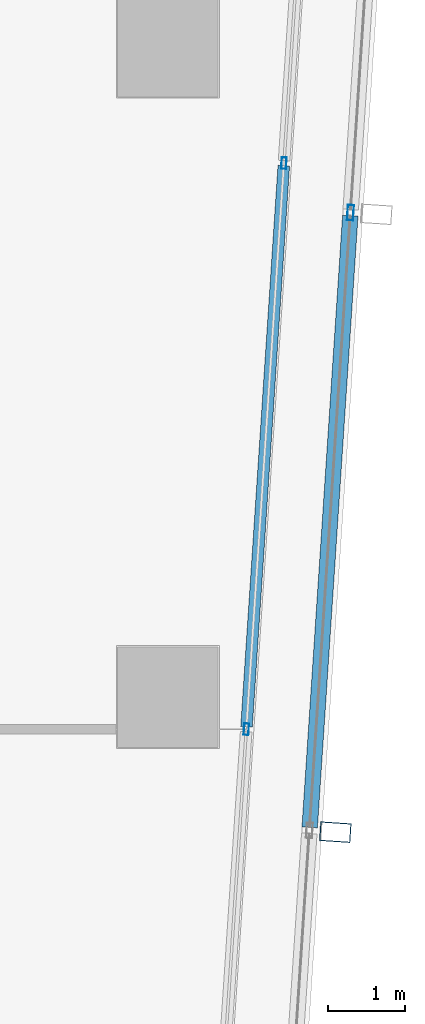
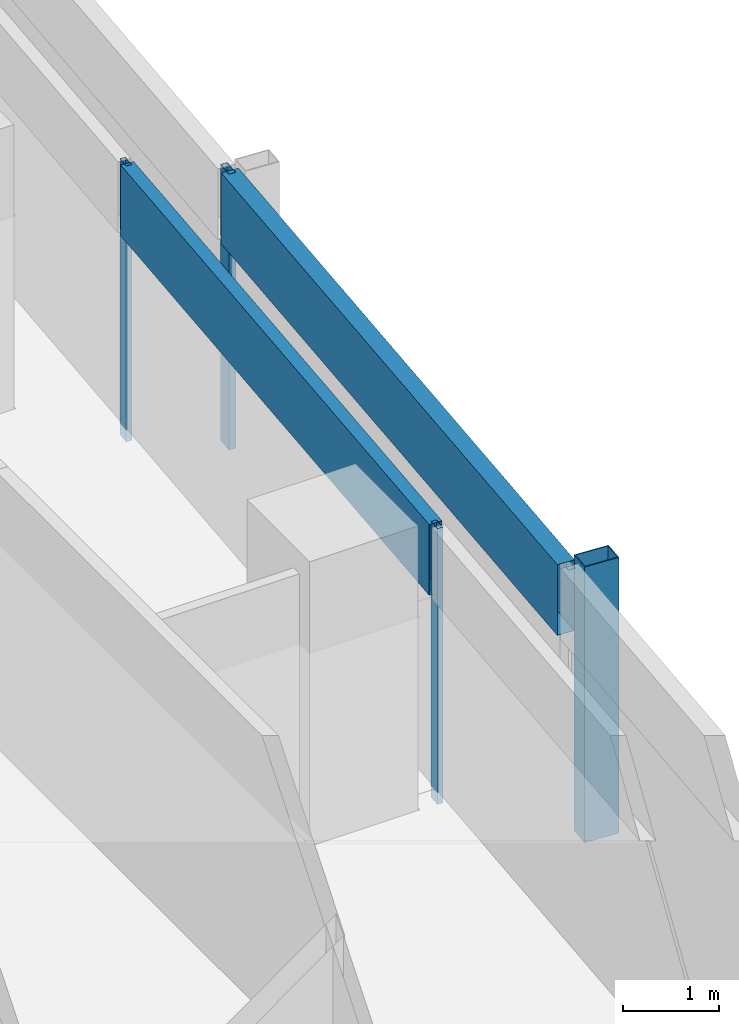
# One storey, part 12 of 30: 6 members, 2 elements without a shape of their own.
"""IFC4 building model written with IfcOpenShell, lengths in metres."""

from ifc_helpers import new_model, si_unit, direction, frame, origin, origin_2d, place, context, subcontext, project, spatial, hollow_rectangle, extrude, material, material_profile, profile_set, type_object, element, aggregate, save


model = new_model("IFC4")

# Units and contexts
model_context = context("Model", 3, precision=1e-05, world=origin(), true_north=direction((0.0, 1.0)))
body_context = subcontext(model_context, "Body", "Model", "MODEL_VIEW")
ifc_project = project(units=[si_unit("LENGTHUNIT", "METRE"), si_unit("AREAUNIT", "SQUARE_METRE"), si_unit("VOLUMEUNIT", "CUBIC_METRE"), si_unit("PLANEANGLEUNIT", "RADIAN"), si_unit("MASSUNIT", "GRAM", prefix="KILO")], contexts=[model_context])

# Site, building, storey
site_placement = place(None, origin())
site = spatial("IfcSite", under=ifc_project, at=site_placement, CompositionType="ELEMENT")
building_placement = place(site_placement, origin())
building = spatial("IfcBuilding", under=site, at=building_placement, Name="Rekha Terrace Tower", CompositionType="ELEMENT")
storey_placement = place(building_placement, frame((0.0, 0.0, 265.10009765625)))
storey = spatial("IfcBuildingStorey", under=building, at=storey_placement, Name="L67", CompositionType="ELEMENT", Elevation=265.10009765625)

# Curtain wall, member
ifc_material_1 = material(Name="Aluminium framing", Category="aluminium")
curtain_wall_type_1 = type_object("IfcCurtainWallType", Name="CW2 double skin outer glazing", PredefinedType="USERDEFINED", material=ifc_material_1)
curtain_wall_1_placement = place(storey_placement, origin())
curtain_wall_1 = element("IfcCurtainWall", 1, at=curtain_wall_1_placement, inside=storey, type_object=curtain_wall_type_1, Name="CW2 double skin outer glazing", ObjectType="DOUBLE SKIN OUTER GLAZING", PredefinedType="USERDEFINED")
ifc_material_2 = material(Name="Steel S355 with fluorocarbon finish", Category="steel")
ifc_material_profile_1 = material_profile(ifc_material_2, hollow_rectangle(XDim=0.25, YDim=0.39990234375, WallThickness=0.012451171875, at=origin_2d()), Name="RHS400x250x12.5")
ifc_profile_set_1 = profile_set([ifc_material_profile_1], Name="Steel S355 with fluorocarbon finish")
member_type_1 = type_object("IfcMemberType", Name="BL1 facade blade RHS 400 x 250", PredefinedType="USERDEFINED", material=ifc_profile_set_1)
member_1_placement = place(storey_placement, frame((60.9638671875, 23.45751953125, 0.0), z_axis=(0.0, 0.0, 1.0), x_axis=(0.066272158908, 0.99780158396, 0.0)))
member_1 = element("IfcMember", 2, at=member_1_placement, type_object=member_type_1, Name="Facade blade", ObjectType="FACADE BLADE", PredefinedType="USERDEFINED", context=body_context, shape_type="SweptSolid", body=[
    extrude(hollow_rectangle(XDim=0.25, YDim=0.39990234375, WallThickness=0.012451171875, at=origin_2d()), origin(), (0.0, 0.0, 1.0), 3.5),
])

# Curtain wall, members
curtain_wall_type_2 = type_object("IfcCurtainWallType", Name="CW1 double skin inner glazing", PredefinedType="USERDEFINED", material=ifc_material_1)
curtain_wall_2_placement = place(storey_placement, origin())
curtain_wall_2 = element("IfcCurtainWall", 3, at=curtain_wall_2_placement, inside=storey, type_object=curtain_wall_type_2, Name="CW1 double skin inner glazing", ObjectType="DOUBLE SKIN INNER GLAZING", PredefinedType="USERDEFINED")
ifc_material_3 = material(Name="Aluminium mullion section", Category="aluminium")
ifc_material_profile_2 = material_profile(ifc_material_3, hollow_rectangle(XDim=0.06494140625, YDim=0.14990234375, WallThickness=0.00390625, at=origin_2d()), Name="AL RHS 65x150")
ifc_profile_set_2 = profile_set([ifc_material_profile_2], Name="Aluminium mullion section")
member_type_2 = type_object("IfcMemberType", Name="CW1 mullion RHS 65 x 150", PredefinedType="MULLION", material=ifc_profile_set_2)
member_2_placement = place(storey_placement, frame((59.814453125, 24.78662109375, 0.0), z_axis=(0.0, 0.0, 1.0), x_axis=(-0.997801621769, 0.066271589649, 0.0)))
member_2 = element("IfcMember", 4, at=member_2_placement, type_object=member_type_2, Name="CW1 mullion 2", PredefinedType="MULLION", context=body_context, shape_type="SweptSolid", body=[
    extrude(hollow_rectangle(XDim=0.06494140625, YDim=0.14990234375, WallThickness=0.00390625, at=origin_2d()), origin(), (0.0, 0.0, 1.0), 3.5),
])
member_3_placement = place(storey_placement, frame((60.300048828125, 32.0966796875, 0.0), z_axis=(0.0, 0.0, 1.0), x_axis=(-0.997801621769, 0.066271589649, 0.0)))
member_3 = element("IfcMember", 5, at=member_3_placement, type_object=member_type_2, Name="CW1 mullion 3", PredefinedType="MULLION", context=body_context, shape_type="SweptSolid", body=[
    extrude(hollow_rectangle(XDim=0.06494140625, YDim=0.14990234375, WallThickness=0.00390625, at=origin_2d()), origin(), (0.0, 0.0, 1.0), 3.5),
])
ifc_material_4 = material(Name="Insulated aluminium spandrel box", Category="aluminium")
ifc_material_profile_3 = material_profile(ifc_material_4, hollow_rectangle(XDim=0.14990234375, YDim=0.89990234375, WallThickness=0.0029296875, at=origin_2d()), Name="AL SPANDREL BOX 150x900")
ifc_profile_set_3 = profile_set([ifc_material_profile_3], Name="Insulated aluminium spandrel box")
member_type_3 = type_object("IfcMemberType", Name="CW1 spandrel transom 150 x 900", PredefinedType="USERDEFINED", material=ifc_profile_set_3)
member_4_placement = place(storey_placement, frame((59.816650390625, 24.81884765625, 3.0498046875), z_axis=(0.066266851431, 0.997801936459, 0.0), x_axis=(-0.997801936459, 0.066266851431, 0.0)))
member_4 = element("IfcMember", 6, at=member_4_placement, type_object=member_type_3, Name="CW1 spandrel transom 2", ObjectType="TRANSOM", PredefinedType="USERDEFINED", context=body_context, shape_type="SweptSolid", body=[
    extrude(hollow_rectangle(XDim=0.14990234375, YDim=0.89990234375, WallThickness=0.0029296875, at=origin_2d()), origin(), (0.0, 0.0, 1.0), 7.261474609375),
])
aggregate(curtain_wall_2, [member_2, member_3, member_4])

# Member
ifc_material_profile_4 = material_profile(ifc_material_3, hollow_rectangle(XDim=0.080078125, YDim=0.199951171875, WallThickness=0.00390625, at=origin_2d()), Name="AL RHS 80x200")
ifc_profile_set_4 = profile_set([ifc_material_profile_4], Name="Aluminium mullion section")
member_type_4 = type_object("IfcMemberType", Name="CW2 mullion RHS 80 x 200", PredefinedType="MULLION", material=ifc_profile_set_4)
member_5_placement = place(storey_placement, frame((61.159423828125, 31.457275390625, 0.0), z_axis=(0.0, 0.0, 1.0), x_axis=(-0.997801621769, 0.066271589649, 0.0)))
member_5 = element("IfcMember", 7, at=member_5_placement, type_object=member_type_4, Name="CW2 mullion 3", PredefinedType="MULLION", context=body_context, shape_type="SweptSolid", body=[
    extrude(hollow_rectangle(XDim=0.080078125, YDim=0.199951171875, WallThickness=0.00390625, at=origin_2d()), origin(), (0.0, 0.0, 1.0), 3.5),
])

ifc_material_profile_5 = material_profile(ifc_material_4, hollow_rectangle(XDim=0.199951171875, YDim=0.89990234375, WallThickness=0.0029296875, at=origin_2d()), Name="AL SPANDREL BOX 200x900")
ifc_profile_set_5 = profile_set([ifc_material_profile_5], Name="Insulated aluminium spandrel box")
member_type_5 = type_object("IfcMemberType", Name="CW2 spandrel transom 200 x 900", PredefinedType="USERDEFINED", material=ifc_profile_set_5)
member_6_placement = place(storey_placement, frame((60.63232421875, 23.51953125, 3.0498046875), z_axis=(0.066252876442, 0.997802864479, 0.0), x_axis=(-0.997802864479, 0.066252876442, 0.0)))
member_6 = element("IfcMember", 8, at=member_6_placement, type_object=member_type_5, Name="CW2 spandrel transom 2", ObjectType="TRANSOM", PredefinedType="USERDEFINED", context=body_context, shape_type="SweptSolid", body=[
    extrude(hollow_rectangle(XDim=0.199951171875, YDim=0.89990234375, WallThickness=0.0029296875, at=origin_2d()), origin(), (0.0, 0.0, 1.0), 7.915283203125),
])

aggregate(curtain_wall_1, [member_5, member_6, member_1])

save(model, "model.ifc")
